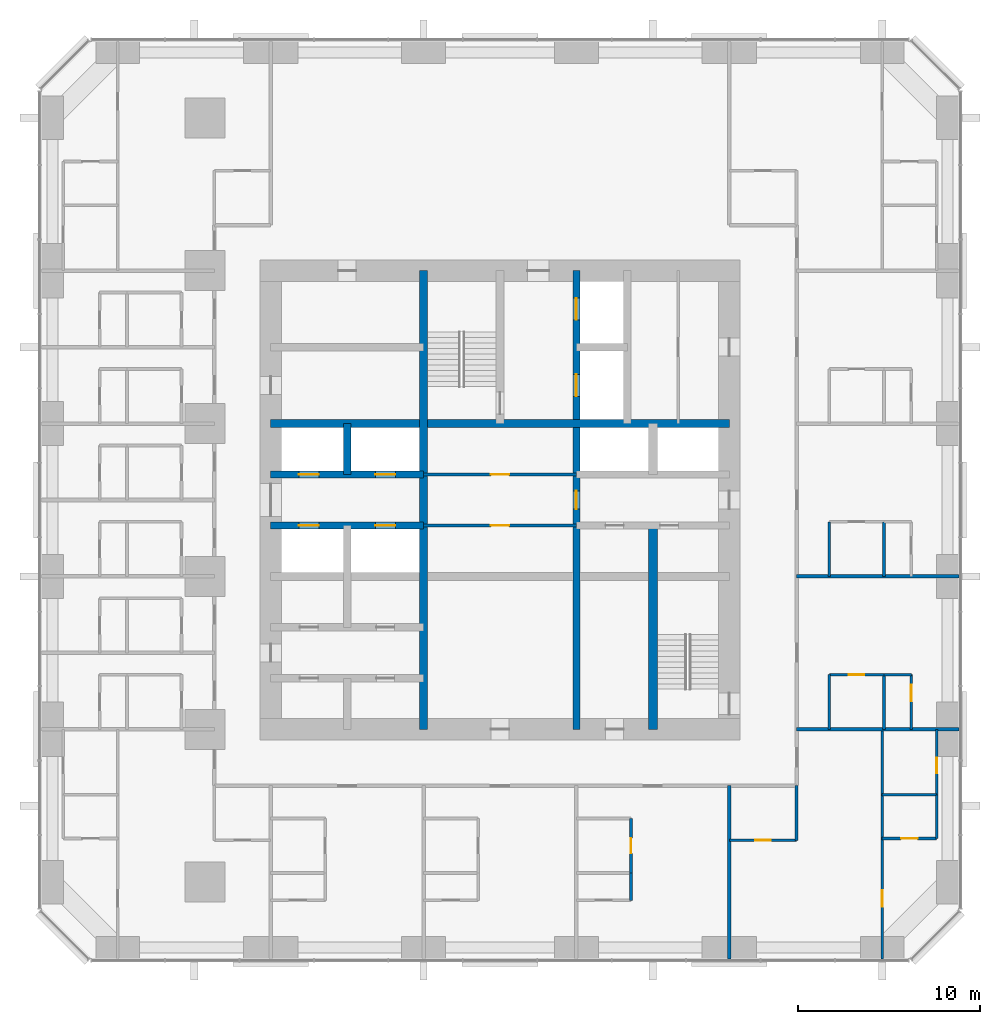
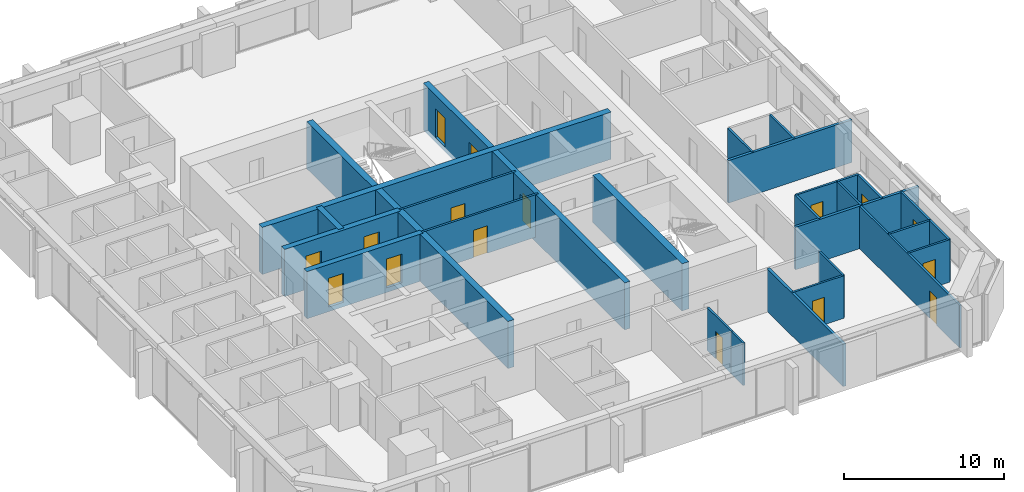
# One storey, part 10 of 13: 28 walls, 16 doors, 16 openings.
"""IFC4 building model written with IfcOpenShell, lengths in metres."""

import ifcopenshell
import ifcopenshell.guid

model = None  # the IFC model being written
_history = None  # IfcOwnerHistory: only IFC2X3 demands one
_inside = {}  # id of a spatial element -> (the spatial element, [elements in it])
_under = {}  # id of a project, library or spatial element -> (it, [spatial elements below it])
_declared = {}  # id of a project -> (the project, [libraries it declares])
_typed = {}  # id of a type object -> (the type object, [elements of that type])
_made_of = {}  # id of a material, layer set ... -> (it, [elements and type objects made of it])


def new_model(schema):
    """Start an empty IFC model of exactly this schema.

    Asked for "IFC4X3", IfcOpenShell would pick the latest addendum, in which some entities
    have other attributes; the version numbers below select the first issue.
    IFC2X3 requires an IfcOwnerHistory on every rooted entity: one is made here for all.
    """
    global model, _history
    if schema == "IFC4X3":
        model = ifcopenshell.file(schema_version=(4, 3, 0, 0))
    else:
        model = ifcopenshell.file(schema=schema)
    _inside.clear()
    _under.clear()
    _declared.clear()
    _typed.clear()
    _made_of.clear()
    _history = None
    if model.schema == "IFC2X3":
        org = make("IfcOrganization", Name="unknown")
        user = make(
            "IfcPersonAndOrganization",
            ThePerson=make("IfcPerson", FamilyName="unknown"),
            TheOrganization=org,
        )
        app = make(
            "IfcApplication",
            ApplicationDeveloper=org,
            Version="unknown",
            ApplicationFullName="unknown",
            ApplicationIdentifier="unknown",
        )
        _history = make(
            "IfcOwnerHistory",
            OwningUser=user,
            OwningApplication=app,
            ChangeAction="ADDED",
            CreationDate=0,
        )
    return model


def make(cls, **values):
    """One entity of the class cls with the attributes given. An attribute that is None is left unset."""
    return model.create_entity(
        cls, **{name: value for name, value in values.items() if value is not None}
    )


def rooted(cls, **values):
    """An entity with a GlobalId (a new one), such as an element, a storey or a relation."""
    return make(cls, GlobalId=ifcopenshell.guid.new(), OwnerHistory=_history, **values)


def si_unit(unit_type, name, prefix=None):
    """IfcSIUnit, for example si_unit("LENGTHUNIT", "METRE", prefix="MILLI")."""
    return make("IfcSIUnit", UnitType=unit_type, Prefix=prefix, Name=name)


def assignment(units):
    """IfcUnitAssignment: the units of a project."""
    return None if units is None else make("IfcUnitAssignment", Units=units)


def point(xyz):
    """IfcCartesianPoint."""
    return None if xyz is None else make("IfcCartesianPoint", Coordinates=xyz)


def direction(xyz):
    """IfcDirection."""
    return None if xyz is None else make("IfcDirection", DirectionRatios=xyz)


def frame(location, z_axis=None, x_axis=None):
    """IfcAxis2Placement3D, a coordinate frame: its origin and axes. An axis left out is left unset."""
    return make(
        "IfcAxis2Placement3D",
        Location=point(location),
        Axis=direction(z_axis),
        RefDirection=direction(x_axis),
    )


def frame_2d(location, x_axis=None):
    """IfcAxis2Placement2D, a coordinate frame in the plane: its origin and x axis."""
    return make(
        "IfcAxis2Placement2D", Location=point(location), RefDirection=direction(x_axis)
    )


def origin():
    """The frame at (0, 0, 0) with its axes left unset."""
    return frame((0.0, 0.0, 0.0))


def place(relative_to, where):
    """IfcLocalPlacement: puts the frame where relative to a parent placement (None: the world)."""
    return make(
        "IfcLocalPlacement", PlacementRelTo=relative_to, RelativePlacement=where
    )


def context(
    kind, dimensions, precision=None, world=None, true_north=None, identifier=None
):
    """IfcGeometricRepresentationContext, for example the 3D "Model" context."""
    return make(
        "IfcGeometricRepresentationContext",
        ContextIdentifier=identifier,
        ContextType=kind,
        CoordinateSpaceDimension=dimensions,
        Precision=precision,
        WorldCoordinateSystem=world,
        TrueNorth=true_north,
    )


def subcontext(parent, identifier, kind, view, scale=None):
    """IfcGeometricRepresentationSubContext, for example "Body" below "Model"."""
    return make(
        "IfcGeometricRepresentationSubContext",
        ContextIdentifier=identifier,
        ContextType=kind,
        ParentContext=parent,
        TargetScale=scale,
        TargetView=view,
    )


def project(units=None, contexts=None):
    """IfcProject with its units and contexts."""
    return rooted(
        "IfcProject",
        Name="project",
        RepresentationContexts=contexts,
        UnitsInContext=assignment(units),
    )


def spatial(cls, under=None, at=None, **own):
    """A site, building, storey or space (cls), placed at a placement, below another one or the project."""
    s = rooted(cls, ObjectPlacement=at, **own)
    if under is not None:
        _under.setdefault(under.id(), (under, []))[1].append(s)
    return s


def profile(cls, at=None, kind="AREA", **sizes):
    """A parametric profile (cls). Its sizes go by their IFC names, for example OverallWidth=200.0."""
    return make(cls, ProfileType=kind, Position=at, **sizes)


def rectangle(**sizes):
    """IfcRectangleProfileDef."""
    return profile("IfcRectangleProfileDef", **sizes)


def extrude(swept, where, along, depth):
    """IfcExtrudedAreaSolid: the profile swept, set in the frame where, extruded along a direction by depth."""
    return make(
        "IfcExtrudedAreaSolid",
        SweptArea=swept,
        Position=where,
        ExtrudedDirection=direction(along),
        Depth=depth,
    )


def shape(context_of_items, identifier, shape_type, items):
    """IfcShapeRepresentation: the items that make up one representation, for example the "Body"."""
    return make(
        "IfcShapeRepresentation",
        ContextOfItems=context_of_items,
        RepresentationIdentifier=identifier,
        RepresentationType=shape_type,
        Items=items,
    )


def material(Name=None, Category=None):
    """IfcMaterial."""
    return make("IfcMaterial", Name=Name, Category=Category)


def layer(
    of_material, thickness, ventilated=None, Name=None, Category=None, Priority=None
):
    """IfcMaterialLayer: one layer of a wall or slab, of a material (None: an air gap)."""
    return make(
        "IfcMaterialLayer",
        Material=of_material,
        LayerThickness=thickness,
        IsVentilated=ventilated,
        Name=Name,
        Category=Category,
        Priority=Priority,
    )


def layer_set(layers, Name=None):
    """IfcMaterialLayerSet."""
    return make("IfcMaterialLayerSet", MaterialLayers=layers, LayerSetName=Name)


def made_of(thing, what):
    """Note that an element or type object is made of a material, layer set ...; save() writes the relation."""
    if what is not None:
        _made_of.setdefault(what.id(), (what, []))[1].append(thing)
    return thing


def type_object(cls, material=None, **own):
    """A type object (cls), such as IfcWallType, which elements share."""
    return made_of(rooted(cls, **own), material)


def element(
    cls,
    number,
    at=None,
    inside=None,
    cuts=None,
    type_object=None,
    material=None,
    context=None,
    identifier="Body",
    shape_type=None,
    held_by="IfcProductDefinitionShape",
    body=None,
    shapes=None,
    **own,
):
    """One element of the class cls, such as IfcWall. Its Tag is "e" and its number.

    at: its placement. inside: the storey or other place that contains it. cuts: it is an
    opening in that element (IfcRelVoidsElement). A single representation is given by context,
    identifier, shape_type and body (its items); several are given by shapes. held_by: the class
    of the entity that holds the representations. save() writes the other relations.
    """
    e = rooted(cls, Tag="e%d" % number, ObjectPlacement=at, **own)
    if body is not None:
        shapes = [shape(context, identifier, shape_type, body)]
    if shapes is not None:
        e.Representation = make(held_by, Representations=shapes)
    if inside is not None:
        _inside.setdefault(inside.id(), (inside, []))[1].append(e)
    if cuts is not None:
        rooted(
            "IfcRelVoidsElement", RelatingBuildingElement=cuts, RelatedOpeningElement=e
        )
    if type_object is not None:
        _typed.setdefault(type_object.id(), (type_object, []))[1].append(e)
    return made_of(e, material)


def fill(opening, filler):
    """IfcRelFillsElement: the door or window that sits in an opening."""
    return rooted(
        "IfcRelFillsElement",
        RelatingOpeningElement=opening,
        RelatedBuildingElement=filler,
    )


def aggregate(whole, parts):
    """IfcRelAggregates: a whole, such as a stair, and the parts it consists of."""
    return rooted("IfcRelAggregates", RelatingObject=whole, RelatedObjects=parts)


def save(model, path):
    """Write the relations noted so far, then the file.

    IfcRelAggregates (storeys below a building ...), IfcRelContainedInSpatialStructure (elements
    in a storey), IfcRelDefinesByType, IfcRelAssociatesMaterial and IfcRelDeclares: one each for
    every whole, place, type object, material and project.
    """
    for whole, parts in _under.values():
        aggregate(whole, parts)
    for where, things in _inside.values():
        rooted(
            "IfcRelContainedInSpatialStructure",
            RelatedElements=things,
            RelatingStructure=where,
        )
    for kind, things in _typed.values():
        rooted("IfcRelDefinesByType", RelatedObjects=things, RelatingType=kind)
    for what, things in _made_of.values():
        rooted("IfcRelAssociatesMaterial", RelatedObjects=things, RelatingMaterial=what)
    for by, libraries in _declared.values():
        rooted("IfcRelDeclares", RelatingContext=by, RelatedDefinitions=libraries)
    model.write(path)


model = new_model("IFC4")

# Units and contexts
model_context = context("Model", 3, precision=1e-05, world=origin(), true_north=direction((0.0, 1.0)))
body_context = subcontext(model_context, "Body", "Model", "MODEL_VIEW")
ifc_project = project(units=[si_unit("LENGTHUNIT", "METRE"), si_unit("AREAUNIT", "SQUARE_METRE"), si_unit("VOLUMEUNIT", "CUBIC_METRE"), si_unit("PLANEANGLEUNIT", "RADIAN"), si_unit("MASSUNIT", "GRAM", prefix="KILO")], contexts=[model_context])

# Site, building, storey
site_placement = place(None, origin())
site = spatial("IfcSite", under=ifc_project, at=site_placement, CompositionType="ELEMENT")
building_placement = place(site_placement, origin())
building = spatial("IfcBuilding", under=site, at=building_placement, Name="Dunama Terrace Hotel", CompositionType="ELEMENT")
storey_placement = place(building_placement, frame((0.0, 0.0, 162.60009765625)))
storey = spatial("IfcBuildingStorey", under=building, at=storey_placement, Name="L41", CompositionType="ELEMENT", Elevation=162.60009765625)

# Wall, opening, door
ifc_material_1 = material(Name="Gypsum board partition", Category="masonry")
ifc_layer_1 = layer(ifc_material_1, 0.14990234375)
ifc_layer_set_1 = layer_set([ifc_layer_1], Name="Bathroom partition 150")
wall_type_1 = type_object("IfcWallType", Name="Bathroom partition 150", PredefinedType="PARTITIONING", material=ifc_layer_set_1)
wall_1_placement = place(storey_placement, frame((36.60009765625, 8.89990234375, 0.0), z_axis=(0.0, 0.0, 1.0), x_axis=(0.0, 1.0, 0.0)))
wall_1 = element("IfcWall", 1, at=wall_1_placement, inside=storey, type_object=wall_type_1, Name="Bathroom partition 150 L41", PredefinedType="PARTITIONING", context=body_context, shape_type="SweptSolid", body=[
    extrude(rectangle(XDim=3.0, YDim=0.14990234375, at=frame_2d((1.5, 0.0))), origin(), (0.0, 0.0, 1.0), 3.25),
])
opening_1_placement = place(wall_1_placement, frame((1.074951171875, 0.0, 0.0)))
opening_1 = element("IfcOpeningElement", 2, at=opening_1_placement, cuts=wall_1, Name="Opening L41-016", PredefinedType="OPENING", context=body_context, shape_type="SweptSolid", body=[
    extrude(rectangle(XDim=0.85009765625, YDim=2.10009765625, at=frame_2d((0.425048828125, 1.050048828125))), frame((0.0, 0.0849609375, 0.0), z_axis=(0.0, -1.0, 0.0), x_axis=(1.0, 0.0, 0.0)), (0.0, 0.0, 1.0), 0.169921875),
])
ifc_material_2 = material(Name="Timber door with steel frame", Category="steel")
door_type_1 = type_object("IfcDoorType", Name="Bathroom door 850", OperationType="SINGLE_SWING_LEFT", PredefinedType="DOOR", material=ifc_material_2)
door_1_placement = place(opening_1_placement, origin())
door_1 = element("IfcDoor", 3, at=door_1_placement, inside=storey, type_object=door_type_1, Name="Door to en-suite bathroom L41-016, type D2", OperationType="SINGLE_SWING_LEFT", OverallHeight=2.10009765625, OverallWidth=0.85009765625, PredefinedType="DOOR", context=body_context, shape_type="SweptSolid", body=[
    extrude(rectangle(XDim=0.85009765625, YDim=2.10009765625, at=frame_2d((0.425048828125, 1.050048828125))), frame((0.0, 0.02490234375, 0.0), z_axis=(0.0, -1.0, 0.0), x_axis=(1.0, 0.0, 0.0)), (0.0, 0.0, 1.0), 0.050048828125),
])
fill(opening_1, door_1)

# Walls
for number, where, z_axis, x_axis, name in (
    (4, (45.699951171875, 10.699951171875, 0.0), (0.0, 0.0, 1.0), (0.0, 1.0, 0.0), "Bathroom partition 150 L41"),
    (5, (47.5, 16.800048828125, 0.0), (0.0, 0.0, 1.0), (0.0, 1.0, 0.0), "Bathroom partition 150 L41"),
    (6, (47.5, 25.199951171875, 0.0), (0.0, 0.0, 1.0), (0.0, 1.0, 0.0), "Bathroom partition 150 L41"),
):
    element("IfcWall", number, at=place(storey_placement, frame(where, z_axis=z_axis, x_axis=x_axis)), inside=storey, type_object=wall_type_1, Name=name, PredefinedType="PARTITIONING", context=body_context, shape_type="SweptSolid", body=[
        extrude(rectangle(XDim=3.0, YDim=0.14990234375, at=frame_2d((1.5, 0.0))), origin(), (0.0, 0.0, 1.0), 3.25),
    ])

# Wall, opening, door
wall_2_placement = place(storey_placement, frame((53.39990234375, 13.199951171875, 0.0), z_axis=(0.0, 0.0, 1.0), x_axis=(0.0, 1.0, 0.0)))
wall_2 = element("IfcWall", 7, at=wall_2_placement, inside=storey, type_object=wall_type_1, Name="Bathroom partition 150 L41", PredefinedType="PARTITIONING", context=body_context, shape_type="SweptSolid", body=[
    extrude(rectangle(XDim=3.60009765625, YDim=0.14990234375, at=frame_2d((1.800048828125, 0.0))), origin(), (0.0, 0.0, 1.0), 3.25),
])
opening_2_placement = place(wall_2_placement, frame((1.175048828125, 0.0, 0.0)))
opening_2 = element("IfcOpeningElement", 8, at=opening_2_placement, cuts=wall_2, Name="Opening L41-053", PredefinedType="OPENING", context=body_context, shape_type="SweptSolid", body=[
    extrude(rectangle(XDim=0.85009765625, YDim=2.10009765625, at=frame_2d((0.425048828125, 1.050048828125))), frame((0.0, 0.0849609375, 0.0), z_axis=(0.0, -1.0, 0.0), x_axis=(1.0, 0.0, 0.0)), (0.0, 0.0, 1.0), 0.169921875),
])
door_2_placement = place(opening_2_placement, origin())
door_2 = element("IfcDoor", 9, at=door_2_placement, inside=storey, type_object=door_type_1, Name="Door to en-suite bathroom L41-053, type D2", OperationType="SINGLE_SWING_RIGHT", OverallHeight=2.10009765625, OverallWidth=0.85009765625, PredefinedType="DOOR", context=body_context, shape_type="SweptSolid", body=[
    extrude(rectangle(XDim=0.85009765625, YDim=2.10009765625, at=frame_2d((0.425048828125, 1.050048828125))), frame((0.0, 0.02490234375, 0.0), z_axis=(0.0, -1.0, 0.0), x_axis=(1.0, 0.0, 0.0)), (0.0, 0.0, 1.0), 0.050048828125),
])
fill(opening_2, door_2)

wall_3_placement = place(storey_placement, frame((42.0, 10.699951171875, 0.0), z_axis=(0.0, 0.0, 1.0), x_axis=(1.0, 0.0, 0.0)))
wall_3 = element("IfcWall", 10, at=wall_3_placement, inside=storey, type_object=wall_type_1, Name="Bathroom partition 150 L41", PredefinedType="PARTITIONING", context=body_context, shape_type="SweptSolid", body=[
    extrude(rectangle(XDim=3.699951171875, YDim=0.14990234375, at=frame_2d((1.85009765625, 0.0))), origin(), (0.0, 0.0, 1.0), 3.25),
])
opening_3_placement = place(wall_3_placement, frame((1.425048828125, 0.0, 0.0)))
opening_3 = element("IfcOpeningElement", 11, at=opening_3_placement, cuts=wall_3, Name="Opening L41-051", PredefinedType="OPENING", context=body_context, shape_type="SweptSolid", body=[
    extrude(rectangle(XDim=0.85009765625, YDim=2.10009765625, at=frame_2d((0.425048828125, 1.050048828125))), frame((0.0, 0.0849609375, 0.0), z_axis=(0.0, -1.0, 0.0), x_axis=(1.0, 0.0, 0.0)), (0.0, 0.0, 1.0), 0.169921875),
])
door_3_placement = place(opening_3_placement, origin())
door_3 = element("IfcDoor", 12, at=door_3_placement, inside=storey, type_object=door_type_1, Name="Door to powder room L41-051, type D2", OperationType="SINGLE_SWING_LEFT", OverallHeight=2.10009765625, OverallWidth=0.85009765625, PredefinedType="DOOR", context=body_context, shape_type="SweptSolid", body=[
    extrude(rectangle(XDim=0.85009765625, YDim=2.10009765625, at=frame_2d((0.425048828125, 1.050048828125))), frame((0.0, 0.02490234375, 0.0), z_axis=(0.0, -1.0, 0.0), x_axis=(1.0, 0.0, 0.0)), (0.0, 0.0, 1.0), 0.050048828125),
])
fill(opening_3, door_3)

wall_4_placement = place(storey_placement, frame((47.5, 19.800048828125, 0.0), z_axis=(0.0, 0.0, 1.0), x_axis=(1.0, 0.0, 0.0)))
wall_4 = element("IfcWall", 13, at=wall_4_placement, inside=storey, type_object=wall_type_1, Name="Bathroom partition 150 L41", PredefinedType="PARTITIONING", context=body_context, shape_type="SweptSolid", body=[
    extrude(rectangle(XDim=3.0, YDim=0.14990234375, at=frame_2d((1.5, 0.0))), origin(), (0.0, 0.0, 1.0), 3.25),
])
opening_4_placement = place(wall_4_placement, frame((1.074951171875, 0.0, 0.0)))
opening_4 = element("IfcOpeningElement", 14, at=opening_4_placement, cuts=wall_4, Name="Opening L41-019", PredefinedType="OPENING", context=body_context, shape_type="SweptSolid", body=[
    extrude(rectangle(XDim=0.85009765625, YDim=2.10009765625, at=frame_2d((0.425048828125, 1.050048828125))), frame((0.0, 0.0849609375, 0.0), z_axis=(0.0, -1.0, 0.0), x_axis=(1.0, 0.0, 0.0)), (0.0, 0.0, 1.0), 0.169921875),
])
door_4_placement = place(opening_4_placement, frame((0.85009765625, 0.0, 0.0), z_axis=(0.0, 0.0, 1.0), x_axis=(-1.0, 0.0, 0.0)))
door_4 = element("IfcDoor", 15, at=door_4_placement, inside=storey, type_object=door_type_1, Name="Door to en-suite bathroom L41-019, type D2", OperationType="SINGLE_SWING_LEFT", OverallHeight=2.10009765625, OverallWidth=0.85009765625, PredefinedType="DOOR", context=body_context, shape_type="SweptSolid", body=[
    extrude(rectangle(XDim=0.85009765625, YDim=2.10009765625, at=frame_2d((0.425048828125, 1.050048828125))), frame((0.0, 0.025146484375, 0.0), z_axis=(0.0, -1.0, 0.0), x_axis=(1.0, 0.0, 0.0)), (0.0, 0.0, 1.0), 0.050048828125),
])
fill(opening_4, door_4)

# Wall
ifc_material_3 = material(Name="Concrete C50/60", Category="concrete")
ifc_layer_2 = layer(ifc_material_3, 0.39990234375)
ifc_layer_set_2 = layer_set([ifc_layer_2], Name="Core inner wall 400")
wall_type_2 = type_object("IfcWallType", Name="Core inner wall 400", PredefinedType="SHEAR", material=ifc_layer_set_2)
wall_5_placement = place(storey_placement, frame((21.0, 30.800048828125, -0.35009765625), z_axis=(0.0, 0.0, 1.0), x_axis=(0.0, 1.0, 0.0)))
element("IfcWall", 16, at=wall_5_placement, inside=storey, type_object=wall_type_2, Name="Core inner wall 400 L41", PredefinedType="SHEAR", context=body_context, shape_type="SweptSolid", body=[
    extrude(rectangle(XDim=2.800048828125, YDim=0.39990234375, at=frame_2d((1.39990234375, 0.0))), origin(), (0.0, 0.0, 1.0), 3.60009765625),
])

# Wall, openings, doors
wall_6_placement = place(storey_placement, frame((33.60009765625, 16.800048828125, -0.35009765625), z_axis=(0.0, 0.0, 1.0), x_axis=(0.0, 1.0, 0.0)))
wall_6 = element("IfcWall", 17, at=wall_6_placement, inside=storey, type_object=wall_type_2, Name="Core inner wall 400 L41", PredefinedType="SHEAR", context=body_context, shape_type="SweptSolid", body=[
    extrude(rectangle(XDim=25.199951171875, YDim=0.39990234375, at=frame_2d((12.60009765625, 0.0))), origin(), (0.0, 0.0, 1.0), 3.60009765625),
])
opening_5_placement = place(wall_6_placement, frame((22.5, 0.0, 0.35009765625)))
opening_5 = element("IfcOpeningElement", 18, at=opening_5_placement, cuts=wall_6, Name="Opening L41-007", PredefinedType="OPENING", context=body_context, shape_type="SweptSolid", body=[
    extrude(rectangle(XDim=1.199951171875, YDim=2.199951171875, at=frame_2d((0.60009765625, 1.10009765625))), frame((0.0, 0.2099609375, 0.0), z_axis=(0.0, -1.0, 0.0), x_axis=(1.0, 0.0, 0.0)), (0.0, 0.0, 1.0), 0.419921875),
])
opening_6_placement = place(wall_6_placement, frame((18.300048828125, 0.0, 0.35009765625)))
opening_6 = element("IfcOpeningElement", 19, at=opening_6_placement, cuts=wall_6, Name="Opening L41-008", PredefinedType="OPENING", context=body_context, shape_type="SweptSolid", body=[
    extrude(rectangle(XDim=1.199951171875, YDim=2.199951171875, at=frame_2d((0.60009765625, 1.10009765625))), frame((0.0, 0.2099609375, 0.0), z_axis=(0.0, -1.0, 0.0), x_axis=(1.0, 0.0, 0.0)), (0.0, 0.0, 1.0), 0.419921875),
])
opening_7_placement = place(wall_6_placement, frame((12.10009765625, 0.0, 0.35009765625)))
opening_7 = element("IfcOpeningElement", 20, at=opening_7_placement, cuts=wall_6, Name="Opening L41-073", PredefinedType="OPENING", context=body_context, shape_type="SweptSolid", body=[
    extrude(rectangle(XDim=1.0, YDim=2.10009765625, at=frame_2d((0.5, 1.050048828125))), frame((0.0, 0.2099609375, 0.0), z_axis=(0.0, -1.0, 0.0), x_axis=(1.0, 0.0, 0.0)), (0.0, 0.0, 1.0), 0.419921875),
])
ifc_material_4 = material(Name="Stainless steel lift door", Category="steel")
door_type_2 = type_object("IfcDoorType", Name="Firefighting lift landing door 1200", OperationType="DOUBLE_DOOR_SLIDING", PredefinedType="DOOR", material=ifc_material_4)
door_5_placement = place(opening_5_placement, origin())
door_5 = element("IfcDoor", 21, at=door_5_placement, inside=storey, type_object=door_type_2, Name="Landing door FL1 L41-007, type LD2", OperationType="DOUBLE_DOOR_SLIDING", OverallHeight=2.199951171875, OverallWidth=1.199951171875, PredefinedType="DOOR", context=body_context, shape_type="SweptSolid", body=[
    extrude(rectangle(XDim=1.199951171875, YDim=2.199951171875, at=frame_2d((0.60009765625, 1.10009765625))), frame((0.0, 0.02490234375, 0.0), z_axis=(0.0, -1.0, 0.0), x_axis=(1.0, 0.0, 0.0)), (0.0, 0.0, 1.0), 0.050048828125),
])
fill(opening_5, door_5)
door_6_placement = place(opening_6_placement, origin())
door_6 = element("IfcDoor", 22, at=door_6_placement, inside=storey, type_object=door_type_2, Name="Landing door FL2 L41-008, type LD2", OperationType="DOUBLE_DOOR_SLIDING", OverallHeight=2.199951171875, OverallWidth=1.199951171875, PredefinedType="DOOR", context=body_context, shape_type="SweptSolid", body=[
    extrude(rectangle(XDim=1.199951171875, YDim=2.199951171875, at=frame_2d((0.60009765625, 1.10009765625))), frame((0.0, 0.02490234375, 0.0), z_axis=(0.0, -1.0, 0.0), x_axis=(1.0, 0.0, 0.0)), (0.0, 0.0, 1.0), 0.050048828125),
])
fill(opening_6, door_6)
ifc_material_5 = material(Name="Timber door with steel frame", Category="steel")
door_type_3 = type_object("IfcDoorType", Name="Service door 1000", OperationType="SINGLE_SWING_LEFT", PredefinedType="DOOR", material=ifc_material_5)
door_7_placement = place(opening_7_placement, origin())
door_7 = element("IfcDoor", 23, at=door_7_placement, inside=storey, type_object=door_type_3, Name="Door to staff passage L41-073, type D7", OperationType="SINGLE_SWING_LEFT", OverallHeight=2.10009765625, OverallWidth=1.0, PredefinedType="DOOR", context=body_context, shape_type="SweptSolid", body=[
    extrude(rectangle(XDim=1.0, YDim=2.10009765625, at=frame_2d((0.5, 1.050048828125))), frame((0.0, 0.02490234375, 0.0), z_axis=(0.0, -1.0, 0.0), x_axis=(1.0, 0.0, 0.0)), (0.0, 0.0, 1.0), 0.050048828125),
])
fill(opening_7, door_7)

wall_7_placement = place(storey_placement, frame((16.800048828125, 28.0, -0.35009765625), z_axis=(0.0, 0.0, 1.0), x_axis=(1.0, 0.0, 0.0)))
wall_7 = element("IfcWall", 24, at=wall_7_placement, inside=storey, type_object=wall_type_2, Name="Core inner wall 400 L41", PredefinedType="SHEAR", context=body_context, shape_type="SweptSolid", body=[
    extrude(rectangle(XDim=8.39990234375, YDim=0.39990234375, at=frame_2d((4.199951171875, 0.0))), origin(), (0.0, 0.0, 1.0), 3.60009765625),
])
opening_8_placement = place(wall_7_placement, frame((1.550048828125, 0.0, 0.35009765625)))
opening_8 = element("IfcOpeningElement", 25, at=opening_8_placement, cuts=wall_7, Name="Opening L41-003", PredefinedType="OPENING", context=body_context, shape_type="SweptSolid", body=[
    extrude(rectangle(XDim=1.10009765625, YDim=2.199951171875, at=frame_2d((0.550048828125, 1.10009765625))), frame((0.0, 0.2099609375, 0.0), z_axis=(0.0, -1.0, 0.0), x_axis=(1.0, 0.0, 0.0)), (0.0, 0.0, 1.0), 0.419921875),
])
opening_9_placement = place(wall_7_placement, frame((5.75, 0.0, 0.35009765625)))
opening_9 = element("IfcOpeningElement", 26, at=opening_9_placement, cuts=wall_7, Name="Opening L41-004", PredefinedType="OPENING", context=body_context, shape_type="SweptSolid", body=[
    extrude(rectangle(XDim=1.10009765625, YDim=2.199951171875, at=frame_2d((0.550048828125, 1.10009765625))), frame((0.0, 0.2099609375, 0.0), z_axis=(0.0, -1.0, 0.0), x_axis=(1.0, 0.0, 0.0)), (0.0, 0.0, 1.0), 0.419921875),
])
ifc_material_6 = material(Name="Stainless steel lift door", Category="steel")
door_type_4 = type_object("IfcDoorType", Name="Lift landing door 1100", OperationType="DOUBLE_DOOR_SLIDING", PredefinedType="DOOR", material=ifc_material_6)
door_8_placement = place(opening_8_placement, origin())
door_8 = element("IfcDoor", 27, at=door_8_placement, inside=storey, type_object=door_type_4, Name="Landing door PC1 L41-003, type LD1", OperationType="DOUBLE_DOOR_SLIDING", OverallHeight=2.199951171875, OverallWidth=1.10009765625, PredefinedType="DOOR", context=body_context, shape_type="SweptSolid", body=[
    extrude(rectangle(XDim=1.10009765625, YDim=2.199951171875, at=frame_2d((0.550048828125, 1.10009765625))), frame((0.0, 0.02490234375, 0.0), z_axis=(0.0, -1.0, 0.0), x_axis=(1.0, 0.0, 0.0)), (0.0, 0.0, 1.0), 0.050048828125),
])
fill(opening_8, door_8)
door_9_placement = place(opening_9_placement, origin())
door_9 = element("IfcDoor", 28, at=door_9_placement, inside=storey, type_object=door_type_4, Name="Landing door PC2 L41-004, type LD1", OperationType="DOUBLE_DOOR_SLIDING", OverallHeight=2.199951171875, OverallWidth=1.10009765625, PredefinedType="DOOR", context=body_context, shape_type="SweptSolid", body=[
    extrude(rectangle(XDim=1.10009765625, YDim=2.199951171875, at=frame_2d((0.550048828125, 1.10009765625))), frame((0.0, 0.02490234375, 0.0), z_axis=(0.0, -1.0, 0.0), x_axis=(1.0, 0.0, 0.0)), (0.0, 0.0, 1.0), 0.050048828125),
])
fill(opening_9, door_9)

wall_8_placement = place(storey_placement, frame((16.800048828125, 30.800048828125, -0.35009765625), z_axis=(0.0, 0.0, 1.0), x_axis=(1.0, 0.0, 0.0)))
wall_8 = element("IfcWall", 29, at=wall_8_placement, inside=storey, type_object=wall_type_2, Name="Core inner wall 400 L41", PredefinedType="SHEAR", context=body_context, shape_type="SweptSolid", body=[
    extrude(rectangle(XDim=8.39990234375, YDim=0.39990234375, at=frame_2d((4.199951171875, 0.0))), origin(), (0.0, 0.0, 1.0), 3.60009765625),
])
opening_10_placement = place(wall_8_placement, frame((1.550048828125, 0.0, 0.35009765625)))
opening_10 = element("IfcOpeningElement", 30, at=opening_10_placement, cuts=wall_8, Name="Opening L41-005", PredefinedType="OPENING", context=body_context, shape_type="SweptSolid", body=[
    extrude(rectangle(XDim=1.10009765625, YDim=2.199951171875, at=frame_2d((0.550048828125, 1.10009765625))), frame((0.0, 0.2099609375, 0.0), z_axis=(0.0, -1.0, 0.0), x_axis=(1.0, 0.0, 0.0)), (0.0, 0.0, 1.0), 0.419921875),
])
opening_11_placement = place(wall_8_placement, frame((5.75, 0.0, 0.35009765625)))
opening_11 = element("IfcOpeningElement", 31, at=opening_11_placement, cuts=wall_8, Name="Opening L41-006", PredefinedType="OPENING", context=body_context, shape_type="SweptSolid", body=[
    extrude(rectangle(XDim=1.10009765625, YDim=2.199951171875, at=frame_2d((0.550048828125, 1.10009765625))), frame((0.0, 0.2099609375, 0.0), z_axis=(0.0, -1.0, 0.0), x_axis=(1.0, 0.0, 0.0)), (0.0, 0.0, 1.0), 0.419921875),
])
door_10_placement = place(opening_10_placement, origin())
door_10 = element("IfcDoor", 32, at=door_10_placement, inside=storey, type_object=door_type_4, Name="Landing door PC3 L41-005, type LD1", OperationType="DOUBLE_DOOR_SLIDING", OverallHeight=2.199951171875, OverallWidth=1.10009765625, PredefinedType="DOOR", context=body_context, shape_type="SweptSolid", body=[
    extrude(rectangle(XDim=1.10009765625, YDim=2.199951171875, at=frame_2d((0.550048828125, 1.10009765625))), frame((0.0, 0.02490234375, 0.0), z_axis=(0.0, -1.0, 0.0), x_axis=(1.0, 0.0, 0.0)), (0.0, 0.0, 1.0), 0.050048828125),
])
fill(opening_10, door_10)
door_11_placement = place(opening_11_placement, origin())
door_11 = element("IfcDoor", 33, at=door_11_placement, inside=storey, type_object=door_type_4, Name="Landing door PC4 L41-006, type LD1", OperationType="DOUBLE_DOOR_SLIDING", OverallHeight=2.199951171875, OverallWidth=1.10009765625, PredefinedType="DOOR", context=body_context, shape_type="SweptSolid", body=[
    extrude(rectangle(XDim=1.10009765625, YDim=2.199951171875, at=frame_2d((0.550048828125, 1.10009765625))), frame((0.0, 0.02490234375, 0.0), z_axis=(0.0, -1.0, 0.0), x_axis=(1.0, 0.0, 0.0)), (0.0, 0.0, 1.0), 0.050048828125),
])
fill(opening_11, door_11)

# Walls
ifc_material_7 = material(Name="Concrete C50/60", Category="concrete")
ifc_layer_3 = layer(ifc_material_7, 0.449951171875)
ifc_layer_set_3 = layer_set([ifc_layer_3], Name="Core inner wall 450")
wall_type_3 = type_object("IfcWallType", Name="Core inner wall 450", PredefinedType="SHEAR", material=ifc_layer_set_3)
for number, where, z_axis, x_axis, name in (
    (34, (25.199951171875, 16.800048828125, -0.35009765625), (0.0, 0.0, 1.0), (0.0, 1.0, 0.0), "Core inner wall 450 L41"),
    (35, (16.800048828125, 33.60009765625, -0.35009765625), (0.0, 0.0, 1.0), (1.0, 0.0, 0.0), "Core inner wall 450 L41"),
):
    element("IfcWall", number, at=place(storey_placement, frame(where, z_axis=z_axis, x_axis=x_axis)), inside=storey, type_object=wall_type_3, Name=name, PredefinedType="SHEAR", context=body_context, shape_type="SweptSolid", body=[
        extrude(rectangle(XDim=25.199951171875, YDim=0.449951171875, at=frame_2d((12.60009765625, 0.0))), origin(), (0.0, 0.0, 1.0), 3.60009765625),
    ])
ifc_material_8 = material(Name="Concrete C50/60", Category="concrete")
ifc_layer_4 = layer(ifc_material_8, 0.5)
ifc_layer_set_4 = layer_set([ifc_layer_4], Name="Core inner wall 500")
wall_type_4 = type_object("IfcWallType", Name="Core inner wall 500", PredefinedType="SHEAR", material=ifc_layer_set_4)
wall_9_placement = place(storey_placement, frame((37.800048828125, 16.800048828125, -0.35009765625), z_axis=(0.0, 0.0, 1.0), x_axis=(0.0, 1.0, 0.0)))
element("IfcWall", 36, at=wall_9_placement, inside=storey, type_object=wall_type_4, Name="Core inner wall 500 L41", PredefinedType="SHEAR", context=body_context, shape_type="SweptSolid", body=[
    extrude(rectangle(XDim=11.199951171875, YDim=0.5, at=frame_2d((5.60009765625, 0.0))), origin(), (0.0, 0.0, 1.0), 3.60009765625),
])
ifc_material_9 = material(Name="Concrete blockwork", Category="masonry")
ifc_layer_5 = layer(ifc_material_9, 0.199951171875)
ifc_layer_set_5 = layer_set([ifc_layer_5], Name="Party wall 200")
wall_type_5 = type_object("IfcWallType", Name="Party wall 200", PredefinedType="PARTITIONING", material=ifc_layer_set_5)
wall_10_placement = place(storey_placement, frame((42.0, 4.181884765625, 0.0), z_axis=(0.0, 0.0, 1.0), x_axis=(0.0, 1.0, 0.0)))
element("IfcWall", 37, at=wall_10_placement, inside=storey, type_object=wall_type_5, Name="Party wall 200 L41", PredefinedType="PARTITIONING", context=body_context, shape_type="SweptSolid", body=[
    extrude(rectangle(XDim=9.51806640625, YDim=0.199951171875, at=frame_2d((4.759033203125, 0.0))), origin(), (0.0, 0.0, 1.0), 3.25),
])
for number, where, z_axis, x_axis, name in (
    (38, (45.699951171875, 16.800048828125, 0.0), (0.0, 0.0, 1.0), (1.0, 0.0, 0.0), "Party wall 200 L41"),
    (39, (45.699951171875, 25.199951171875, 0.0), (0.0, 0.0, 1.0), (1.0, 0.0, 0.0), "Party wall 200 L41"),
):
    element("IfcWall", number, at=place(storey_placement, frame(where, z_axis=z_axis, x_axis=x_axis)), inside=storey, type_object=wall_type_5, Name=name, PredefinedType="PARTITIONING", context=body_context, shape_type="SweptSolid", body=[
        extrude(rectangle(XDim=8.91796875, YDim=0.199951171875, at=frame_2d((4.458984375, 0.0))), origin(), (0.0, 0.0, 1.0), 3.25),
    ])
ifc_material_10 = material(Name="Gypsum board partition", Category="masonry")
ifc_layer_6 = layer(ifc_material_10, 0.14990234375)
ifc_layer_set_6 = layer_set([ifc_layer_6], Name="Room partition 150")
wall_type_6 = type_object("IfcWallType", Name="Room partition 150", PredefinedType="PARTITIONING", material=ifc_layer_set_6)
wall_11_placement = place(storey_placement, frame((36.60009765625, 7.39990234375, 0.0), z_axis=(0.0, 0.0, 1.0), x_axis=(0.0, 1.0, 0.0)))
element("IfcWall", 40, at=wall_11_placement, inside=storey, type_object=wall_type_6, Name="Room partition 150 L41", PredefinedType="PARTITIONING", context=body_context, shape_type="SweptSolid", body=[
    extrude(rectangle(XDim=1.5, YDim=0.14990234375, at=frame_2d((0.75, 0.0))), origin(), (0.0, 0.0, 1.0), 3.25),
])

# Wall, opening, door
wall_12_placement = place(storey_placement, frame((50.39990234375, 4.181884765625, 0.0), z_axis=(0.0, 0.0, 1.0), x_axis=(0.0, 1.0, 0.0)))
wall_12 = element("IfcWall", 41, at=wall_12_placement, inside=storey, type_object=wall_type_6, Name="Room partition 150 L41", PredefinedType="PARTITIONING", context=body_context, shape_type="SweptSolid", body=[
    extrude(rectangle(XDim=12.6181640625, YDim=0.14990234375, at=frame_2d((6.30908203125, 0.0))), origin(), (0.0, 0.0, 1.0), 3.25),
])
opening_12_placement = place(wall_12_placement, frame((2.867919921875, 0.0, 0.0)))
opening_12 = element("IfcOpeningElement", 42, at=opening_12_placement, cuts=wall_12, Name="Opening L41-052", PredefinedType="OPENING", context=body_context, shape_type="SweptSolid", body=[
    extrude(rectangle(XDim=0.89990234375, YDim=2.10009765625, at=frame_2d((0.449951171875, 1.050048828125))), frame((0.0, 0.0849609375, 0.0), z_axis=(0.0, -1.0, 0.0), x_axis=(1.0, 0.0, 0.0)), (0.0, 0.0, 1.0), 0.169921875),
])
ifc_material_11 = material(Name="Timber door with steel frame", Category="steel")
door_type_5 = type_object("IfcDoorType", Name="Suite internal door 900", OperationType="SINGLE_SWING_LEFT", PredefinedType="DOOR", material=ifc_material_11)
door_12_placement = place(opening_12_placement, frame((0.89990234375, 0.0, 0.0), z_axis=(0.0, 0.0, 1.0), x_axis=(-1.0, 0.0, 0.0)))
door_12 = element("IfcDoor", 43, at=door_12_placement, inside=storey, type_object=door_type_5, Name="Door to corner suite bedroom L41-052, type D16", OperationType="SINGLE_SWING_RIGHT", OverallHeight=2.10009765625, OverallWidth=0.89990234375, PredefinedType="DOOR", context=body_context, shape_type="SweptSolid", body=[
    extrude(rectangle(XDim=0.89990234375, YDim=2.10009765625, at=frame_2d((0.449951171875, 1.050048828125))), frame((0.0, 0.025146484375, 0.0), z_axis=(0.0, -1.0, 0.0), x_axis=(1.0, 0.0, 0.0)), (0.0, 0.0, 1.0), 0.050048828125),
])
fill(opening_12, door_12)

# Walls
for number, where, z_axis, x_axis, name in (
    (44, (50.5, 16.800048828125, 0.0), (0.0, 0.0, 1.0), (0.0, 1.0, 0.0), "Room partition 150 L41"),
    (45, (50.5, 25.199951171875, 0.0), (0.0, 0.0, 1.0), (0.0, 1.0, 0.0), "Room partition 150 L41"),
):
    element("IfcWall", number, at=place(storey_placement, frame(where, z_axis=z_axis, x_axis=x_axis)), inside=storey, type_object=wall_type_6, Name=name, PredefinedType="PARTITIONING", context=body_context, shape_type="SweptSolid", body=[
        extrude(rectangle(XDim=3.0, YDim=0.14990234375, at=frame_2d((1.5, 0.0))), origin(), (0.0, 0.0, 1.0), 3.25),
    ])

# Wall, opening, door
wall_13_placement = place(storey_placement, frame((52.0, 16.800048828125, 0.0), z_axis=(0.0, 0.0, 1.0), x_axis=(0.0, 1.0, 0.0)))
wall_13 = element("IfcWall", 46, at=wall_13_placement, inside=storey, type_object=wall_type_6, Name="Room partition 150 L41", PredefinedType="PARTITIONING", context=body_context, shape_type="SweptSolid", body=[
    extrude(rectangle(XDim=3.0, YDim=0.14990234375, at=frame_2d((1.5, 0.0))), origin(), (0.0, 0.0, 1.0), 3.25),
])
opening_13_placement = place(wall_13_placement, frame((1.550048828125, 0.0, 0.0)))
opening_13 = element("IfcOpeningElement", 47, at=opening_13_placement, cuts=wall_13, Name="Opening L41-020", PredefinedType="OPENING", context=body_context, shape_type="SweptSolid", body=[
    extrude(rectangle(XDim=0.89990234375, YDim=2.10009765625, at=frame_2d((0.449951171875, 1.050048828125))), frame((0.0, 0.0849609375, 0.0), z_axis=(0.0, -1.0, 0.0), x_axis=(1.0, 0.0, 0.0)), (0.0, 0.0, 1.0), 0.169921875),
])
door_13_placement = place(opening_13_placement, origin())
door_13 = element("IfcDoor", 48, at=door_13_placement, inside=storey, type_object=door_type_5, Name="Door to walk-in wardrobe L41-020, type D16", OperationType="SINGLE_SWING_RIGHT", OverallHeight=2.10009765625, OverallWidth=0.89990234375, PredefinedType="DOOR", context=body_context, shape_type="SweptSolid", body=[
    extrude(rectangle(XDim=0.89990234375, YDim=2.10009765625, at=frame_2d((0.449951171875, 1.050048828125))), frame((0.0, 0.02490234375, 0.0), z_axis=(0.0, -1.0, 0.0), x_axis=(1.0, 0.0, 0.0)), (0.0, 0.0, 1.0), 0.050048828125),
])
fill(opening_13, door_13)

# Wall
wall_14_placement = place(storey_placement, frame((53.39990234375, 10.800048828125, 0.0), z_axis=(0.0, 0.0, 1.0), x_axis=(0.0, 1.0, 0.0)))
element("IfcWall", 49, at=wall_14_placement, inside=storey, type_object=wall_type_6, Name="Room partition 150 L41", PredefinedType="PARTITIONING", context=body_context, shape_type="SweptSolid", body=[
    extrude(rectangle(XDim=2.39990234375, YDim=0.14990234375, at=frame_2d((1.199951171875, 0.0))), origin(), (0.0, 0.0, 1.0), 3.25),
])

# Wall, opening, door
wall_15_placement = place(storey_placement, frame((50.39990234375, 10.800048828125, 0.0), z_axis=(0.0, 0.0, 1.0), x_axis=(1.0, 0.0, 0.0)))
wall_15 = element("IfcWall", 50, at=wall_15_placement, inside=storey, type_object=wall_type_6, Name="Room partition 150 L41", PredefinedType="PARTITIONING", context=body_context, shape_type="SweptSolid", body=[
    extrude(rectangle(XDim=3.0, YDim=0.14990234375, at=frame_2d((1.5, 0.0))), origin(), (0.0, 0.0, 1.0), 3.25),
])
opening_14_placement = place(wall_15_placement, frame((1.050048828125, 0.0, 0.0)))
opening_14 = element("IfcOpeningElement", 51, at=opening_14_placement, cuts=wall_15, Name="Opening L41-054", PredefinedType="OPENING", context=body_context, shape_type="SweptSolid", body=[
    extrude(rectangle(XDim=0.89990234375, YDim=2.10009765625, at=frame_2d((0.449951171875, 1.050048828125))), frame((0.0, 0.0849609375, 0.0), z_axis=(0.0, -1.0, 0.0), x_axis=(1.0, 0.0, 0.0)), (0.0, 0.0, 1.0), 0.169921875),
])
door_14_placement = place(opening_14_placement, origin())
door_14 = element("IfcDoor", 52, at=door_14_placement, inside=storey, type_object=door_type_5, Name="Door to dressing room L41-054, type D16", OperationType="SINGLE_SWING_LEFT", OverallHeight=2.10009765625, OverallWidth=0.89990234375, PredefinedType="DOOR", context=body_context, shape_type="SweptSolid", body=[
    extrude(rectangle(XDim=0.89990234375, YDim=2.10009765625, at=frame_2d((0.449951171875, 1.050048828125))), frame((0.0, 0.02490234375, 0.0), z_axis=(0.0, -1.0, 0.0), x_axis=(1.0, 0.0, 0.0)), (0.0, 0.0, 1.0), 0.050048828125),
])
fill(opening_14, door_14)

# Walls
wall_16_placement = place(storey_placement, frame((50.39990234375, 13.199951171875, 0.0), z_axis=(0.0, 0.0, 1.0), x_axis=(1.0, 0.0, 0.0)))
element("IfcWall", 53, at=wall_16_placement, inside=storey, type_object=wall_type_6, Name="Room partition 150 L41", PredefinedType="PARTITIONING", context=body_context, shape_type="SweptSolid", body=[
    extrude(rectangle(XDim=3.0, YDim=0.14990234375, at=frame_2d((1.5, 0.0))), origin(), (0.0, 0.0, 1.0), 3.25),
])
wall_17_placement = place(storey_placement, frame((50.5, 19.800048828125, 0.0), z_axis=(0.0, 0.0, 1.0), x_axis=(1.0, 0.0, 0.0)))
element("IfcWall", 54, at=wall_17_placement, inside=storey, type_object=wall_type_6, Name="Room partition 150 L41", PredefinedType="PARTITIONING", context=body_context, shape_type="SweptSolid", body=[
    extrude(rectangle(XDim=1.5, YDim=0.14990234375, at=frame_2d((0.75, 0.0))), origin(), (0.0, 0.0, 1.0), 3.25),
])

# Wall, opening, door
wall_18_placement = place(storey_placement, frame((25.199951171875, 28.0, 0.0), z_axis=(0.0, 0.0, 1.0), x_axis=(1.0, 0.0, 0.0)))
wall_18 = element("IfcWall", 55, at=wall_18_placement, inside=storey, type_object=wall_type_6, Name="Room partition 150 L41", PredefinedType="PARTITIONING", context=body_context, shape_type="SweptSolid", body=[
    extrude(rectangle(XDim=8.400146484375, YDim=0.14990234375, at=frame_2d((4.2001953125, 0.0))), origin(), (0.0, 0.0, 1.0), 3.25),
])
opening_15_placement = place(wall_18_placement, frame((3.699951171875, 0.0, 0.0)))
opening_15 = element("IfcOpeningElement", 56, at=opening_15_placement, cuts=wall_18, Name="Opening L41-074", PredefinedType="OPENING", context=body_context, shape_type="SweptSolid", body=[
    extrude(rectangle(XDim=1.0, YDim=2.10009765625, at=frame_2d((0.5, 1.050048828125))), frame((0.0, 0.0849609375, 0.0), z_axis=(0.0, -1.0, 0.0), x_axis=(1.0, 0.0, 0.0)), (0.0, 0.0, 1.0), 0.169921875),
])
door_15_placement = place(opening_15_placement, frame((1.0, 0.0, 0.0), z_axis=(0.0, 0.0, 1.0), x_axis=(-1.0, 0.0, 0.0)))
door_15 = element("IfcDoor", 57, at=door_15_placement, inside=storey, type_object=door_type_3, Name="Door to room service pantry L41-074, type D7", OperationType="SINGLE_SWING_RIGHT", OverallHeight=2.10009765625, OverallWidth=1.0, PredefinedType="DOOR", context=body_context, shape_type="SweptSolid", body=[
    extrude(rectangle(XDim=1.0, YDim=2.10009765625, at=frame_2d((0.5, 1.050048828125))), frame((0.0, 0.025146484375, 0.0), z_axis=(0.0, -1.0, 0.0), x_axis=(1.0, 0.0, 0.0)), (0.0, 0.0, 1.0), 0.050048828125),
])
fill(opening_15, door_15)

wall_19_placement = place(storey_placement, frame((25.199951171875, 30.800048828125, 0.0), z_axis=(0.0, 0.0, 1.0), x_axis=(1.0, 0.0, 0.0)))
wall_19 = element("IfcWall", 58, at=wall_19_placement, inside=storey, type_object=wall_type_6, Name="Room partition 150 L41", PredefinedType="PARTITIONING", context=body_context, shape_type="SweptSolid", body=[
    extrude(rectangle(XDim=8.400146484375, YDim=0.14990234375, at=frame_2d((4.2001953125, 0.0))), origin(), (0.0, 0.0, 1.0), 3.25),
])
opening_16_placement = place(wall_19_placement, frame((3.699951171875, 0.0, 0.0)))
opening_16 = element("IfcOpeningElement", 59, at=opening_16_placement, cuts=wall_19, Name="Opening L41-075", PredefinedType="OPENING", context=body_context, shape_type="SweptSolid", body=[
    extrude(rectangle(XDim=1.0, YDim=2.10009765625, at=frame_2d((0.5, 1.050048828125))), frame((0.0, 0.0849609375, 0.0), z_axis=(0.0, -1.0, 0.0), x_axis=(1.0, 0.0, 0.0)), (0.0, 0.0, 1.0), 0.169921875),
])
door_16_placement = place(opening_16_placement, origin())
door_16 = element("IfcDoor", 60, at=door_16_placement, inside=storey, type_object=door_type_3, Name="Door to uniform and linen exchange L41-075, type D7", OperationType="SINGLE_SWING_LEFT", OverallHeight=2.10009765625, OverallWidth=1.0, PredefinedType="DOOR", context=body_context, shape_type="SweptSolid", body=[
    extrude(rectangle(XDim=1.0, YDim=2.10009765625, at=frame_2d((0.5, 1.050048828125))), frame((0.0, 0.02490234375, 0.0), z_axis=(0.0, -1.0, 0.0), x_axis=(1.0, 0.0, 0.0)), (0.0, 0.0, 1.0), 0.050048828125),
])
fill(opening_16, door_16)

save(model, "model.ifc")
